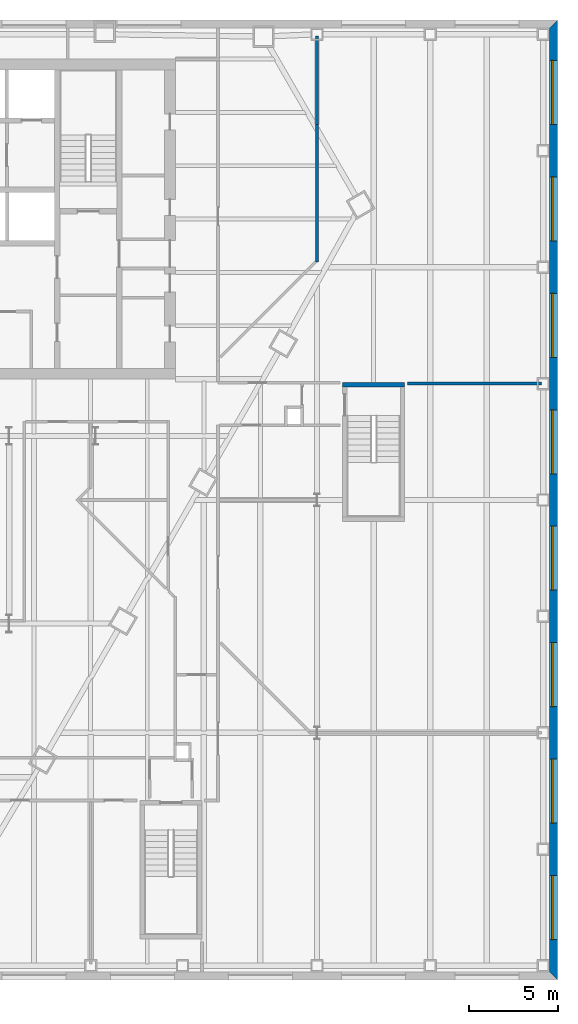
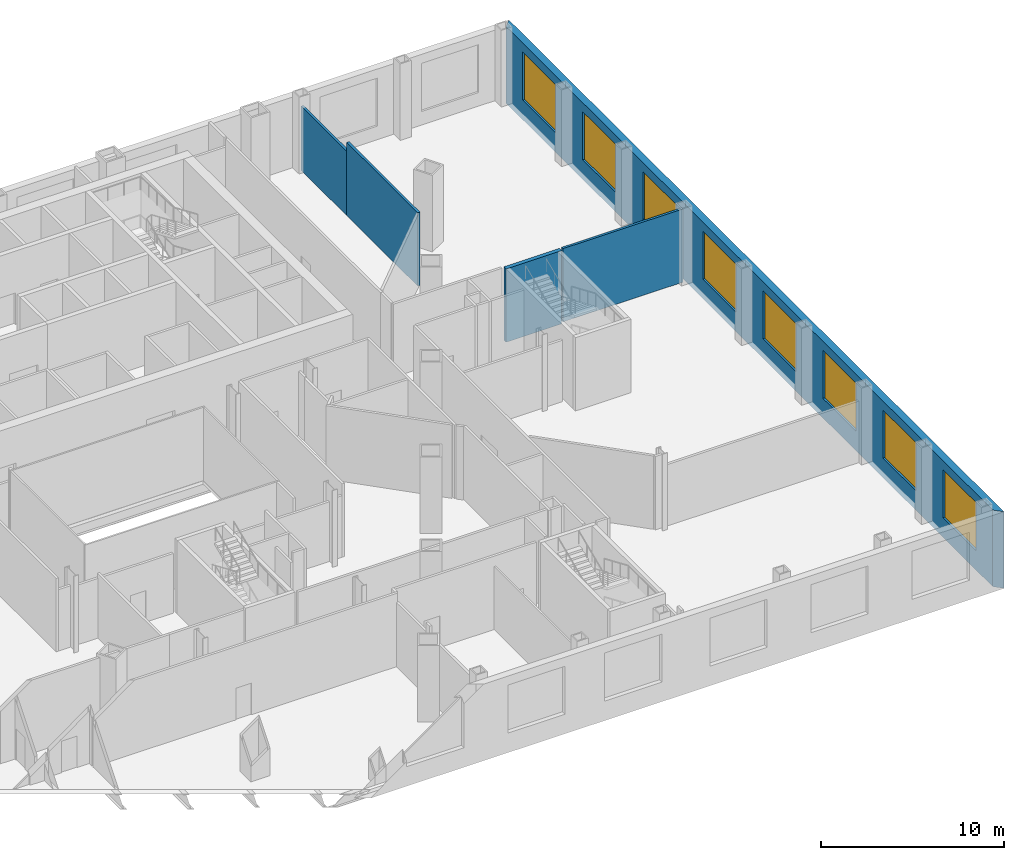
# One storey, part 15 of 21: 8 windows, 5 walls, 8 openings.
"""IFC4 building model written with IfcOpenShell, lengths in metres."""

from ifc_helpers import new_model, si_unit, direction, frame, frame_2d, origin, place, context, subcontext, project, spatial, polyline, rectangle, outline, extrude, material, layer, layer_set, type_object, element, fill, save


model = new_model("IFC4")

# Units and contexts
model_context = context("Model", 3, precision=1e-05, world=origin(), true_north=direction((0.0, 1.0)))
body_context = subcontext(model_context, "Body", "Model", "MODEL_VIEW")
ifc_project = project(units=[si_unit("LENGTHUNIT", "METRE"), si_unit("AREAUNIT", "SQUARE_METRE"), si_unit("VOLUMEUNIT", "CUBIC_METRE"), si_unit("PLANEANGLEUNIT", "RADIAN"), si_unit("MASSUNIT", "GRAM", prefix="KILO")], contexts=[model_context])

# Site, building, storey
site_placement = place(None, origin())
site = spatial("IfcSite", under=ifc_project, at=site_placement, CompositionType="ELEMENT")
building_placement = place(site_placement, origin())
building = spatial("IfcBuilding", under=site, at=building_placement, Name="Njiva Tower", CompositionType="ELEMENT")
storey_placement = place(building_placement, frame((0.0, 0.0, 13.5)))
storey = spatial("IfcBuildingStorey", under=building, at=storey_placement, Name="L02", CompositionType="ELEMENT", Elevation=13.5)

# Walls
ifc_material_1 = material(Name="Gypsum board on steel studs", Category="gypsum")
ifc_layer_1 = layer(ifc_material_1, 0.15)
ifc_layer_set_1 = layer_set([ifc_layer_1], Name="Gypsum board on steel studs")
wall_type_1 = type_object("IfcWallType", Name="WT21 Compartment wall 150", PredefinedType="PARTITIONING", material=ifc_layer_set_1)
wall_1_placement = place(storey_placement, frame((25.467, 6.592, 0.0), z_axis=(0.0, 0.0, 1.0), x_axis=(0.0, 1.0, 0.0)))
element("IfcWall", 1, at=wall_1_placement, inside=storey, type_object=wall_type_1, Name="Partition L02-P098", PredefinedType="PARTITIONING", context=body_context, shape_type="SweptSolid", body=[
    extrude(rectangle(XDim=7.736, YDim=0.15, at=frame_2d((3.868, 0.0))), origin(), (0.0, 0.0, 1.0), 4.88),
])
wall_2_placement = place(storey_placement, frame((25.467, 14.328, 0.0), z_axis=(0.0, 0.0, 1.0), x_axis=(0.0, 1.0, 0.0)))
element("IfcWall", 2, at=wall_2_placement, inside=storey, type_object=wall_type_1, Name="Partition L02-P098A", PredefinedType="PARTITIONING", context=body_context, shape_type="SweptSolid", body=[
    extrude(rectangle(XDim=4.972, YDim=0.15, at=frame_2d((2.486, 0.0))), origin(), (0.0, 0.0, 1.0), 4.28),
])
wall_3_placement = place(storey_placement, frame((30.55, -0.25, 0.0), z_axis=(0.0, 0.0, 1.0), x_axis=(1.0, 0.0, 0.0)))
element("IfcWall", 3, at=wall_3_placement, inside=storey, type_object=wall_type_1, Name="Partition L02-P099", PredefinedType="PARTITIONING", context=body_context, shape_type="SweptSolid", body=[
    extrude(rectangle(XDim=7.55, YDim=0.15, at=frame_2d((3.775, 0.0))), origin(), (0.0, 0.0, 1.0), 4.88),
])
ifc_material_2 = material(Name="Concrete C40/50", Category="concrete")
ifc_layer_2 = layer(ifc_material_2, 0.25)
ifc_layer_set_2 = layer_set([ifc_layer_2], Name="Concrete C40/50")
wall_type_2 = type_object("IfcWallType", Name="WT9 Stair enclosure wall 250", PredefinedType="SHEAR", material=ifc_layer_set_2)
wall_4_placement = place(storey_placement, frame((26.9, -0.325, 0.0), z_axis=(0.0, 0.0, 1.0), x_axis=(1.0, 0.0, 0.0)))
element("IfcWall", 4, at=wall_4_placement, inside=storey, type_object=wall_type_2, Name="Stair G wall north", PredefinedType="SHEAR", context=body_context, shape_type="SweptSolid", body=[
    extrude(rectangle(XDim=3.5, YDim=0.25, at=frame_2d((1.75, 0.0))), origin(), (0.0, 0.0, 1.0), 4.88),
])

# Wall, openings, windows
ifc_material_3 = material(Name="Brick masonry", Category="masonry")
ifc_layer_3 = layer(ifc_material_3, 0.45)
ifc_layer_set_3 = layer_set([ifc_layer_3], Name="Brick masonry")
wall_type_3 = type_object("IfcWallType", Name="WT90 Brick pier and spandrel wall 450", PredefinedType="SOLIDWALL", material=ifc_layer_set_3)
wall_5_placement = place(storey_placement, frame((38.775, -33.575, -0.4), z_axis=(0.0, 0.0, 1.0), x_axis=(0.0, 1.0, 0.0)))
wall_5 = element("IfcWall", 5, at=wall_5_placement, inside=storey, type_object=wall_type_3, Name="Podium wall E", PredefinedType="SOLIDWALL", context=body_context, shape_type="SweptSolid", body=[
    extrude(outline(polyline([(-0.225, -0.225), (53.775, -0.225), (53.325, 0.225), (0.225, 0.225), (-0.225, -0.225)])), origin(), (0.0, 0.0, 1.0), 5.1),
])
opening_1_placement = place(wall_5_placement, frame((2.05, 0.0, 1.3)))
opening_1 = element("IfcOpeningElement", 6, at=opening_1_placement, cuts=wall_5, Name="Opening L02-W01", PredefinedType="OPENING", context=body_context, shape_type="SweptSolid", body=[
    extrude(rectangle(XDim=3.6, YDim=3.2, at=frame_2d((1.8, 1.6))), frame((0.0, 0.235, 0.0), z_axis=(0.0, -1.0, 0.0), x_axis=(1.0, 0.0, 0.0)), (0.0, 0.0, 1.0), 0.47),
])
opening_2_placement = place(wall_5_placement, frame((8.6, 0.0, 1.3)))
opening_2 = element("IfcOpeningElement", 7, at=opening_2_placement, cuts=wall_5, Name="Opening L02-W02", PredefinedType="OPENING", context=body_context, shape_type="SweptSolid", body=[
    extrude(rectangle(XDim=3.6, YDim=3.2, at=frame_2d((1.8, 1.6))), frame((0.0, 0.235, 0.0), z_axis=(0.0, -1.0, 0.0), x_axis=(1.0, 0.0, 0.0)), (0.0, 0.0, 1.0), 0.47),
])
opening_3_placement = place(wall_5_placement, frame((15.15, 0.0, 1.3)))
opening_3 = element("IfcOpeningElement", 8, at=opening_3_placement, cuts=wall_5, Name="Opening L02-W03", PredefinedType="OPENING", context=body_context, shape_type="SweptSolid", body=[
    extrude(rectangle(XDim=3.6, YDim=3.2, at=frame_2d((1.8, 1.6))), frame((0.0, 0.235, 0.0), z_axis=(0.0, -1.0, 0.0), x_axis=(1.0, 0.0, 0.0)), (0.0, 0.0, 1.0), 0.47),
])
opening_4_placement = place(wall_5_placement, frame((21.7, 0.0, 1.3)))
opening_4 = element("IfcOpeningElement", 9, at=opening_4_placement, cuts=wall_5, Name="Opening L02-W04", PredefinedType="OPENING", context=body_context, shape_type="SweptSolid", body=[
    extrude(rectangle(XDim=3.6, YDim=3.2, at=frame_2d((1.8, 1.6))), frame((0.0, 0.235, 0.0), z_axis=(0.0, -1.0, 0.0), x_axis=(1.0, 0.0, 0.0)), (0.0, 0.0, 1.0), 0.47),
])
opening_5_placement = place(wall_5_placement, frame((28.25, 0.0, 1.3)))
opening_5 = element("IfcOpeningElement", 10, at=opening_5_placement, cuts=wall_5, Name="Opening L02-W05", PredefinedType="OPENING", context=body_context, shape_type="SweptSolid", body=[
    extrude(rectangle(XDim=3.6, YDim=3.2, at=frame_2d((1.8, 1.6))), frame((0.0, 0.235, 0.0), z_axis=(0.0, -1.0, 0.0), x_axis=(1.0, 0.0, 0.0)), (0.0, 0.0, 1.0), 0.47),
])
opening_6_placement = place(wall_5_placement, frame((34.8, 0.0, 1.3)))
opening_6 = element("IfcOpeningElement", 11, at=opening_6_placement, cuts=wall_5, Name="Opening L02-W06", PredefinedType="OPENING", context=body_context, shape_type="SweptSolid", body=[
    extrude(rectangle(XDim=3.6, YDim=3.2, at=frame_2d((1.8, 1.6))), frame((0.0, 0.235, 0.0), z_axis=(0.0, -1.0, 0.0), x_axis=(1.0, 0.0, 0.0)), (0.0, 0.0, 1.0), 0.47),
])
opening_7_placement = place(wall_5_placement, frame((41.35, 0.0, 1.3)))
opening_7 = element("IfcOpeningElement", 12, at=opening_7_placement, cuts=wall_5, Name="Opening L02-W07", PredefinedType="OPENING", context=body_context, shape_type="SweptSolid", body=[
    extrude(rectangle(XDim=3.6, YDim=3.2, at=frame_2d((1.8, 1.6))), frame((0.0, 0.235, 0.0), z_axis=(0.0, -1.0, 0.0), x_axis=(1.0, 0.0, 0.0)), (0.0, 0.0, 1.0), 0.47),
])
opening_8_placement = place(wall_5_placement, frame((47.9, 0.0, 1.3)))
opening_8 = element("IfcOpeningElement", 13, at=opening_8_placement, cuts=wall_5, Name="Opening L02-W08", PredefinedType="OPENING", context=body_context, shape_type="SweptSolid", body=[
    extrude(rectangle(XDim=3.6, YDim=3.2, at=frame_2d((1.8, 1.6))), frame((0.0, 0.235, 0.0), z_axis=(0.0, -1.0, 0.0), x_axis=(1.0, 0.0, 0.0)), (0.0, 0.0, 1.0), 0.47),
])
ifc_material_4 = material(Name="Clear glazing in aluminium frame", Category="aluminium")
window_type = type_object("IfcWindowType", Name="W98 Deep-set window 3600x3200", PartitioningType="SINGLE_PANEL", PredefinedType="WINDOW", material=ifc_material_4)
window_1_placement = place(opening_1_placement, origin())
window_1 = element("IfcWindow", 14, at=window_1_placement, inside=storey, type_object=window_type, Name="Window", OverallHeight=3.2, OverallWidth=3.6, PartitioningType="SINGLE_PANEL", PredefinedType="WINDOW", context=body_context, shape_type="SweptSolid", body=[
    extrude(rectangle(XDim=3.6, YDim=3.2, at=frame_2d((1.8, 1.6))), frame((0.0, 0.105, 0.0), z_axis=(0.0, -1.0, 0.0), x_axis=(1.0, 0.0, 0.0)), (0.0, 0.0, 1.0), 0.06),
])
fill(opening_1, window_1)
window_2_placement = place(opening_2_placement, origin())
window_2 = element("IfcWindow", 15, at=window_2_placement, inside=storey, type_object=window_type, Name="Window", OverallHeight=3.2, OverallWidth=3.6, PartitioningType="SINGLE_PANEL", PredefinedType="WINDOW", context=body_context, shape_type="SweptSolid", body=[
    extrude(rectangle(XDim=3.6, YDim=3.2, at=frame_2d((1.8, 1.6))), frame((0.0, 0.105, 0.0), z_axis=(0.0, -1.0, 0.0), x_axis=(1.0, 0.0, 0.0)), (0.0, 0.0, 1.0), 0.06),
])
fill(opening_2, window_2)
window_3_placement = place(opening_3_placement, origin())
window_3 = element("IfcWindow", 16, at=window_3_placement, inside=storey, type_object=window_type, Name="Window", OverallHeight=3.2, OverallWidth=3.6, PartitioningType="SINGLE_PANEL", PredefinedType="WINDOW", context=body_context, shape_type="SweptSolid", body=[
    extrude(rectangle(XDim=3.6, YDim=3.2, at=frame_2d((1.8, 1.6))), frame((0.0, 0.105, 0.0), z_axis=(0.0, -1.0, 0.0), x_axis=(1.0, 0.0, 0.0)), (0.0, 0.0, 1.0), 0.06),
])
fill(opening_3, window_3)
window_4_placement = place(opening_4_placement, origin())
window_4 = element("IfcWindow", 17, at=window_4_placement, inside=storey, type_object=window_type, Name="Window", OverallHeight=3.2, OverallWidth=3.6, PartitioningType="SINGLE_PANEL", PredefinedType="WINDOW", context=body_context, shape_type="SweptSolid", body=[
    extrude(rectangle(XDim=3.6, YDim=3.2, at=frame_2d((1.8, 1.6))), frame((0.0, 0.105, 0.0), z_axis=(0.0, -1.0, 0.0), x_axis=(1.0, 0.0, 0.0)), (0.0, 0.0, 1.0), 0.06),
])
fill(opening_4, window_4)
window_5_placement = place(opening_5_placement, origin())
window_5 = element("IfcWindow", 18, at=window_5_placement, inside=storey, type_object=window_type, Name="Window", OverallHeight=3.2, OverallWidth=3.6, PartitioningType="SINGLE_PANEL", PredefinedType="WINDOW", context=body_context, shape_type="SweptSolid", body=[
    extrude(rectangle(XDim=3.6, YDim=3.2, at=frame_2d((1.8, 1.6))), frame((0.0, 0.105, 0.0), z_axis=(0.0, -1.0, 0.0), x_axis=(1.0, 0.0, 0.0)), (0.0, 0.0, 1.0), 0.06),
])
fill(opening_5, window_5)
window_6_placement = place(opening_6_placement, origin())
window_6 = element("IfcWindow", 19, at=window_6_placement, inside=storey, type_object=window_type, Name="Window", OverallHeight=3.2, OverallWidth=3.6, PartitioningType="SINGLE_PANEL", PredefinedType="WINDOW", context=body_context, shape_type="SweptSolid", body=[
    extrude(rectangle(XDim=3.6, YDim=3.2, at=frame_2d((1.8, 1.6))), frame((0.0, 0.105, 0.0), z_axis=(0.0, -1.0, 0.0), x_axis=(1.0, 0.0, 0.0)), (0.0, 0.0, 1.0), 0.06),
])
fill(opening_6, window_6)
window_7_placement = place(opening_7_placement, origin())
window_7 = element("IfcWindow", 20, at=window_7_placement, inside=storey, type_object=window_type, Name="Window", OverallHeight=3.2, OverallWidth=3.6, PartitioningType="SINGLE_PANEL", PredefinedType="WINDOW", context=body_context, shape_type="SweptSolid", body=[
    extrude(rectangle(XDim=3.6, YDim=3.2, at=frame_2d((1.8, 1.6))), frame((0.0, 0.105, 0.0), z_axis=(0.0, -1.0, 0.0), x_axis=(1.0, 0.0, 0.0)), (0.0, 0.0, 1.0), 0.06),
])
fill(opening_7, window_7)
window_8_placement = place(opening_8_placement, origin())
window_8 = element("IfcWindow", 21, at=window_8_placement, inside=storey, type_object=window_type, Name="Window", OverallHeight=3.2, OverallWidth=3.6, PartitioningType="SINGLE_PANEL", PredefinedType="WINDOW", context=body_context, shape_type="SweptSolid", body=[
    extrude(rectangle(XDim=3.6, YDim=3.2, at=frame_2d((1.8, 1.6))), frame((0.0, 0.105, 0.0), z_axis=(0.0, -1.0, 0.0), x_axis=(1.0, 0.0, 0.0)), (0.0, 0.0, 1.0), 0.06),
])
fill(opening_8, window_8)

save(model, "model.ifc")
